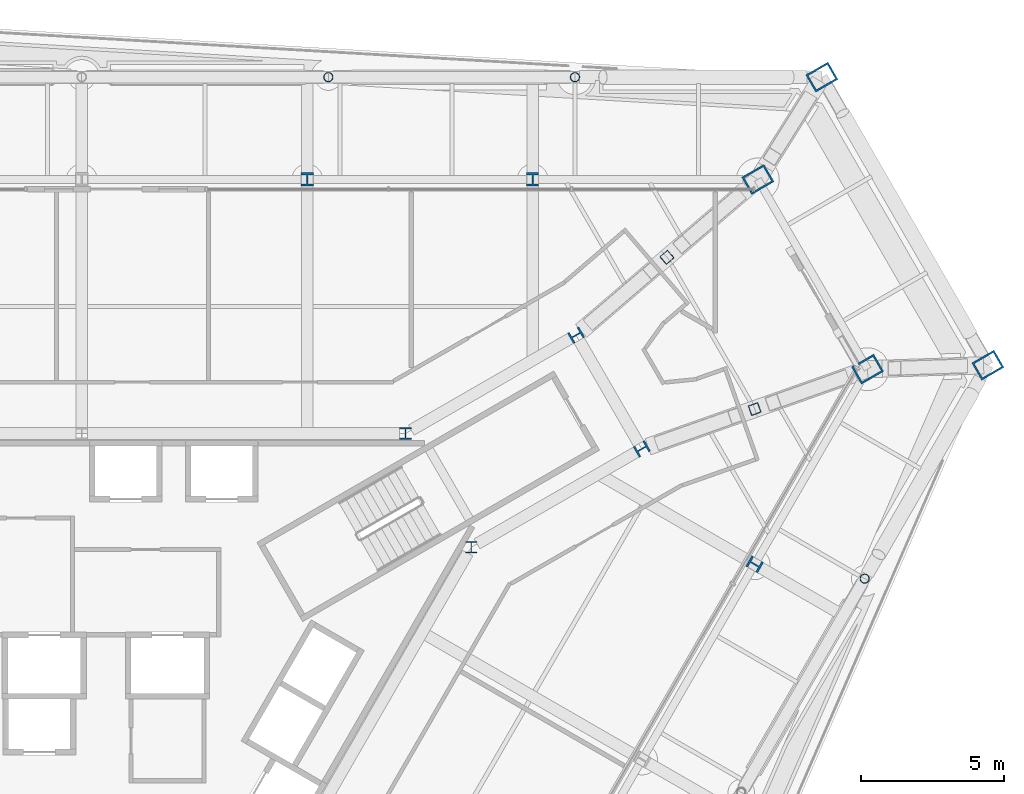
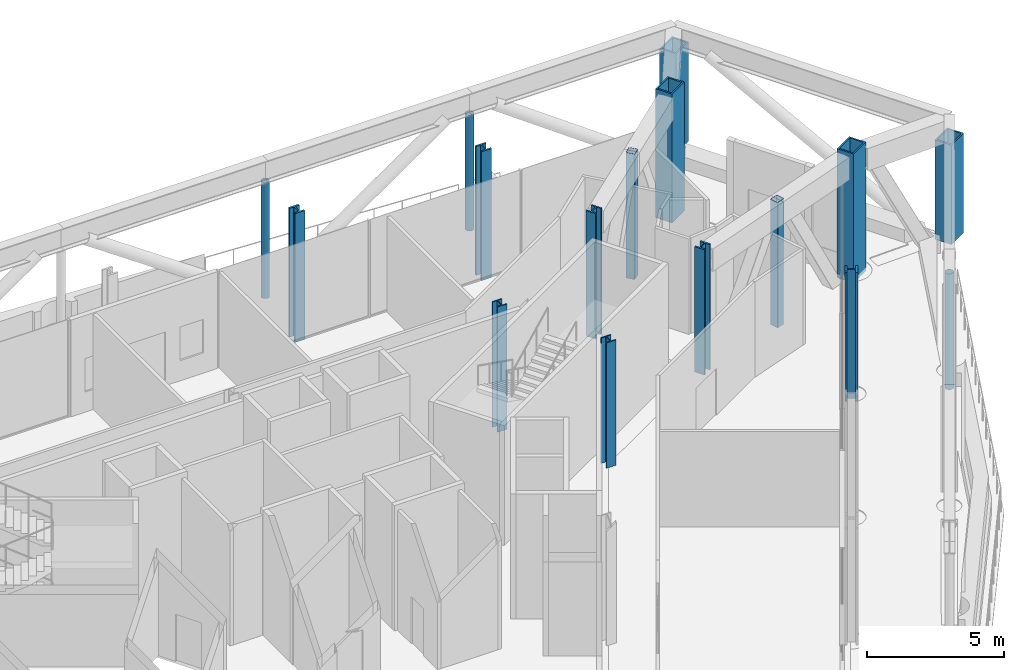
# One storey, part 4 of 26: 16 columns.
"""IFC4 building model written with IfcOpenShell, lengths in metres."""

import ifcopenshell
import ifcopenshell.guid

model = None  # the IFC model being written
_history = None  # IfcOwnerHistory: only IFC2X3 demands one
_inside = {}  # id of a spatial element -> (the spatial element, [elements in it])
_under = {}  # id of a project, library or spatial element -> (it, [spatial elements below it])
_declared = {}  # id of a project -> (the project, [libraries it declares])
_typed = {}  # id of a type object -> (the type object, [elements of that type])
_made_of = {}  # id of a material, layer set ... -> (it, [elements and type objects made of it])


def new_model(schema):
    """Start an empty IFC model of exactly this schema.

    Asked for "IFC4X3", IfcOpenShell would pick the latest addendum, in which some entities
    have other attributes; the version numbers below select the first issue.
    IFC2X3 requires an IfcOwnerHistory on every rooted entity: one is made here for all.
    """
    global model, _history
    if schema == "IFC4X3":
        model = ifcopenshell.file(schema_version=(4, 3, 0, 0))
    else:
        model = ifcopenshell.file(schema=schema)
    _inside.clear()
    _under.clear()
    _declared.clear()
    _typed.clear()
    _made_of.clear()
    _history = None
    if model.schema == "IFC2X3":
        org = make("IfcOrganization", Name="unknown")
        user = make(
            "IfcPersonAndOrganization",
            ThePerson=make("IfcPerson", FamilyName="unknown"),
            TheOrganization=org,
        )
        app = make(
            "IfcApplication",
            ApplicationDeveloper=org,
            Version="unknown",
            ApplicationFullName="unknown",
            ApplicationIdentifier="unknown",
        )
        _history = make(
            "IfcOwnerHistory",
            OwningUser=user,
            OwningApplication=app,
            ChangeAction="ADDED",
            CreationDate=0,
        )
    return model


def make(cls, **values):
    """One entity of the class cls with the attributes given. An attribute that is None is left unset."""
    return model.create_entity(
        cls, **{name: value for name, value in values.items() if value is not None}
    )


def rooted(cls, **values):
    """An entity with a GlobalId (a new one), such as an element, a storey or a relation."""
    return make(cls, GlobalId=ifcopenshell.guid.new(), OwnerHistory=_history, **values)


def si_unit(unit_type, name, prefix=None):
    """IfcSIUnit, for example si_unit("LENGTHUNIT", "METRE", prefix="MILLI")."""
    return make("IfcSIUnit", UnitType=unit_type, Prefix=prefix, Name=name)


def assignment(units):
    """IfcUnitAssignment: the units of a project."""
    return None if units is None else make("IfcUnitAssignment", Units=units)


def point(xyz):
    """IfcCartesianPoint."""
    return None if xyz is None else make("IfcCartesianPoint", Coordinates=xyz)


def direction(xyz):
    """IfcDirection."""
    return None if xyz is None else make("IfcDirection", DirectionRatios=xyz)


def frame(location, z_axis=None, x_axis=None):
    """IfcAxis2Placement3D, a coordinate frame: its origin and axes. An axis left out is left unset."""
    return make(
        "IfcAxis2Placement3D",
        Location=point(location),
        Axis=direction(z_axis),
        RefDirection=direction(x_axis),
    )


def frame_2d(location, x_axis=None):
    """IfcAxis2Placement2D, a coordinate frame in the plane: its origin and x axis."""
    return make(
        "IfcAxis2Placement2D", Location=point(location), RefDirection=direction(x_axis)
    )


def origin():
    """The frame at (0, 0, 0) with its axes left unset."""
    return frame((0.0, 0.0, 0.0))


def origin_2d():
    """The frame at (0, 0) in the plane with its x axis left unset."""
    return frame_2d((0.0, 0.0))


def place(relative_to, where):
    """IfcLocalPlacement: puts the frame where relative to a parent placement (None: the world)."""
    return make(
        "IfcLocalPlacement", PlacementRelTo=relative_to, RelativePlacement=where
    )


def context(
    kind, dimensions, precision=None, world=None, true_north=None, identifier=None
):
    """IfcGeometricRepresentationContext, for example the 3D "Model" context."""
    return make(
        "IfcGeometricRepresentationContext",
        ContextIdentifier=identifier,
        ContextType=kind,
        CoordinateSpaceDimension=dimensions,
        Precision=precision,
        WorldCoordinateSystem=world,
        TrueNorth=true_north,
    )


def subcontext(parent, identifier, kind, view, scale=None):
    """IfcGeometricRepresentationSubContext, for example "Body" below "Model"."""
    return make(
        "IfcGeometricRepresentationSubContext",
        ContextIdentifier=identifier,
        ContextType=kind,
        ParentContext=parent,
        TargetScale=scale,
        TargetView=view,
    )


def project(units=None, contexts=None):
    """IfcProject with its units and contexts."""
    return rooted(
        "IfcProject",
        Name="project",
        RepresentationContexts=contexts,
        UnitsInContext=assignment(units),
    )


def spatial(cls, under=None, at=None, **own):
    """A site, building, storey or space (cls), placed at a placement, below another one or the project."""
    s = rooted(cls, ObjectPlacement=at, **own)
    if under is not None:
        _under.setdefault(under.id(), (under, []))[1].append(s)
    return s


def profile(cls, at=None, kind="AREA", **sizes):
    """A parametric profile (cls). Its sizes go by their IFC names, for example OverallWidth=200.0."""
    return make(cls, ProfileType=kind, Position=at, **sizes)


def hollow_rectangle(**sizes):
    """IfcRectangleHollowProfileDef."""
    return profile("IfcRectangleHollowProfileDef", **sizes)


def hollow_circle(**sizes):
    """IfcCircleHollowProfileDef."""
    return profile("IfcCircleHollowProfileDef", **sizes)


def i_section(**sizes):
    """IfcIShapeProfileDef."""
    return profile("IfcIShapeProfileDef", **sizes)


def extrude(swept, where, along, depth):
    """IfcExtrudedAreaSolid: the profile swept, set in the frame where, extruded along a direction by depth."""
    return make(
        "IfcExtrudedAreaSolid",
        SweptArea=swept,
        Position=where,
        ExtrudedDirection=direction(along),
        Depth=depth,
    )


def shape(context_of_items, identifier, shape_type, items):
    """IfcShapeRepresentation: the items that make up one representation, for example the "Body"."""
    return make(
        "IfcShapeRepresentation",
        ContextOfItems=context_of_items,
        RepresentationIdentifier=identifier,
        RepresentationType=shape_type,
        Items=items,
    )


def material(Name=None, Category=None):
    """IfcMaterial."""
    return make("IfcMaterial", Name=Name, Category=Category)


def material_profile(
    of_material, cross_section, Name=None, Category=None, Priority=None
):
    """IfcMaterialProfile: a cross section and its material."""
    return make(
        "IfcMaterialProfile",
        Name=Name,
        Material=of_material,
        Profile=cross_section,
        Priority=Priority,
        Category=Category,
    )


def profile_set(profiles, Name=None, composite=None):
    """IfcMaterialProfileSet."""
    return make(
        "IfcMaterialProfileSet",
        Name=Name,
        MaterialProfiles=profiles,
        CompositeProfile=composite,
    )


def made_of(thing, what):
    """Note that an element or type object is made of a material, layer set ...; save() writes the relation."""
    if what is not None:
        _made_of.setdefault(what.id(), (what, []))[1].append(thing)
    return thing


def type_object(cls, material=None, **own):
    """A type object (cls), such as IfcWallType, which elements share."""
    return made_of(rooted(cls, **own), material)


def element(
    cls,
    number,
    at=None,
    inside=None,
    cuts=None,
    type_object=None,
    material=None,
    context=None,
    identifier="Body",
    shape_type=None,
    held_by="IfcProductDefinitionShape",
    body=None,
    shapes=None,
    **own,
):
    """One element of the class cls, such as IfcWall. Its Tag is "e" and its number.

    at: its placement. inside: the storey or other place that contains it. cuts: it is an
    opening in that element (IfcRelVoidsElement). A single representation is given by context,
    identifier, shape_type and body (its items); several are given by shapes. held_by: the class
    of the entity that holds the representations. save() writes the other relations.
    """
    e = rooted(cls, Tag="e%d" % number, ObjectPlacement=at, **own)
    if body is not None:
        shapes = [shape(context, identifier, shape_type, body)]
    if shapes is not None:
        e.Representation = make(held_by, Representations=shapes)
    if inside is not None:
        _inside.setdefault(inside.id(), (inside, []))[1].append(e)
    if cuts is not None:
        rooted(
            "IfcRelVoidsElement", RelatingBuildingElement=cuts, RelatedOpeningElement=e
        )
    if type_object is not None:
        _typed.setdefault(type_object.id(), (type_object, []))[1].append(e)
    return made_of(e, material)


def aggregate(whole, parts):
    """IfcRelAggregates: a whole, such as a stair, and the parts it consists of."""
    return rooted("IfcRelAggregates", RelatingObject=whole, RelatedObjects=parts)


def save(model, path):
    """Write the relations noted so far, then the file.

    IfcRelAggregates (storeys below a building ...), IfcRelContainedInSpatialStructure (elements
    in a storey), IfcRelDefinesByType, IfcRelAssociatesMaterial and IfcRelDeclares: one each for
    every whole, place, type object, material and project.
    """
    for whole, parts in _under.values():
        aggregate(whole, parts)
    for where, things in _inside.values():
        rooted(
            "IfcRelContainedInSpatialStructure",
            RelatedElements=things,
            RelatingStructure=where,
        )
    for kind, things in _typed.values():
        rooted("IfcRelDefinesByType", RelatedObjects=things, RelatingType=kind)
    for what, things in _made_of.values():
        rooted("IfcRelAssociatesMaterial", RelatedObjects=things, RelatingMaterial=what)
    for by, libraries in _declared.values():
        rooted("IfcRelDeclares", RelatingContext=by, RelatedDefinitions=libraries)
    model.write(path)


model = new_model("IFC4")

# Units and contexts
model_context = context("Model", 3, precision=1e-05, world=origin(), true_north=direction((0.0, 1.0)))
body_context = subcontext(model_context, "Body", "Model", "MODEL_VIEW")
ifc_project = project(units=[si_unit("LENGTHUNIT", "METRE"), si_unit("AREAUNIT", "SQUARE_METRE"), si_unit("VOLUMEUNIT", "CUBIC_METRE"), si_unit("PLANEANGLEUNIT", "RADIAN"), si_unit("MASSUNIT", "GRAM", prefix="KILO")], contexts=[model_context])

# Site, building, storey
site_placement = place(None, origin())
site = spatial("IfcSite", under=ifc_project, at=site_placement, CompositionType="ELEMENT")
building_placement = place(site_placement, origin())
building = spatial("IfcBuilding", under=site, at=building_placement, Name="Verrane Prism Tower", CompositionType="ELEMENT")
storey_placement = place(building_placement, frame((0.0, 0.0, 87.199951171875)))
storey = spatial("IfcBuildingStorey", under=building, at=storey_placement, Name="L20", CompositionType="ELEMENT", Elevation=87.199951171875)

# Columns
ifc_material_1 = material(Name="Steel A500 Grade C", Category="steel")
ifc_material_profile_1 = material_profile(ifc_material_1, hollow_circle(Radius=0.16259765625, WallThickness=0.0126953125, at=origin_2d()), Name="HSS12.750x0.500")
ifc_profile_set_1 = profile_set([ifc_material_profile_1], Name="Steel A500 Grade C")
column_type_1 = type_object("IfcColumnType", Name="Belt truss post HSS12.750x0.500", PredefinedType="COLUMN", material=ifc_profile_set_1)
for number, where, z_axis, x_axis, name in (
    (1, (17.260009765625, 21.669921875, -0.72998046875), (0.0, 0.0, 1.0), (1.0, 0.0, 0.0), "Belt truss post L20"),
    (2, (8.6298828125, 21.669921875, -0.72998046875), (0.0, 0.0, 1.0), (1.0, 0.0, 0.0), "Belt truss post L20"),
    (3, (27.39990234375, 4.1201171875, -0.72998046875), (0.0, 0.0, 1.0), (-0.5, -0.866025403784, 0.0), "Belt truss post L20"),
):
    element("IfcColumn", number, at=place(storey_placement, frame(where, z_axis=z_axis, x_axis=x_axis)), inside=storey, type_object=column_type_1, Name=name, PredefinedType="COLUMN", context=body_context, shape_type="SweptSolid", body=[
        extrude(hollow_circle(Radius=0.16259765625, WallThickness=0.0126953125, at=origin_2d()), origin(), (0.0, 0.0, 1.0), 5.169921875),
    ])
ifc_material_2 = material(Name="Steel A992", Category="steel")
ifc_material_profile_2 = material_profile(ifc_material_2, i_section(OverallWidth=0.419189453125, OverallDepth=0.45458984375, WebThickness=0.042236328125, FlangeThickness=0.067626953125, FilletRadius=0.01513671875, at=origin_2d()), Name="W14x370")
ifc_profile_set_2 = profile_set([ifc_material_profile_2], Name="Steel A992")
column_type_2 = type_object("IfcColumnType", Name="Core corner column W14x370", PredefinedType="COLUMN", material=ifc_profile_set_2)
for number, where, z_axis, x_axis, name in (
    (4, (19.60009765625, 8.659912109375, 0.0), (0.0, 0.0, 1.0), (0.5, -0.866025403784, 0.0), "Core corner column CK-NEm L20"),
    (5, (17.300048828125, 12.639892578125, 0.0), (0.0, 0.0, 1.0), (0.5, -0.866025403784, 0.0), "Core corner column CK-NEp L20"),
):
    element("IfcColumn", number, at=place(storey_placement, frame(where, z_axis=z_axis, x_axis=x_axis)), inside=storey, type_object=column_type_2, Name=name, PredefinedType="COLUMN", context=body_context, shape_type="SweptSolid", body=[
        extrude(i_section(OverallWidth=0.419189453125, OverallDepth=0.45458984375, WebThickness=0.042236328125, FlangeThickness=0.067626953125, FilletRadius=0.01513671875, at=origin_2d()), origin(), (0.0, 0.0, 1.0), 5.60009765625),
    ])
ifc_material_3 = material(Name="Steel A992", Category="steel")
ifc_material_profile_3 = material_profile(ifc_material_3, i_section(OverallWidth=0.406494140625, OverallDepth=0.41650390625, WebThickness=0.030029296875, FlangeThickness=0.048095703125, FilletRadius=0.01513671875, at=origin_2d()), Name="W14x257")
ifc_profile_set_3 = profile_set([ifc_material_profile_3], Name="Steel A992")
column_type_3 = type_object("IfcColumnType", Name="Core side column W14x257", PredefinedType="COLUMN", material=ifc_profile_set_3)
for number, where, z_axis, x_axis, name in (
    (6, (13.6298828125, 5.219970703125, 0.0), (0.0, 0.0, 1.0), (1.0, 0.0, 0.0), "Core side column CC-NEm L20"),
    (7, (11.330078125, 9.199951171875, 0.0), (0.0, 0.0, 1.0), (1.0, 0.0, 0.0), "Core side column CC-NEp L20"),
):
    element("IfcColumn", number, at=place(storey_placement, frame(where, z_axis=z_axis, x_axis=x_axis)), inside=storey, type_object=column_type_3, Name=name, PredefinedType="COLUMN", context=body_context, shape_type="SweptSolid", body=[
        extrude(i_section(OverallWidth=0.406494140625, OverallDepth=0.41650390625, WebThickness=0.030029296875, FlangeThickness=0.048095703125, FilletRadius=0.01513671875, at=origin_2d()), origin(), (0.0, 0.0, 1.0), 5.60009765625),
    ])
ifc_material_4 = material(Name="Steel A572 Grade 50", Category="steel")
ifc_material_profile_4 = material_profile(ifc_material_4, hollow_rectangle(XDim=0.699951171875, YDim=0.89990234375, WallThickness=0.06494140625, at=origin_2d()), Name="BOX 900x700x65")
ifc_profile_set_4 = profile_set([ifc_material_profile_4], Name="Steel A572 Grade 50")
column_type_4 = type_object("IfcColumnType", Name="Megacolumn BOX 900x700x65", PredefinedType="COLUMN", material=ifc_profile_set_4)
column_1_placement = place(storey_placement, frame((25.89990234375, 21.669921875, 0.0), z_axis=(0.0, 0.0, 1.0), x_axis=(0.5, -0.866025403784, 0.0)))
element("IfcColumn", 8, at=column_1_placement, inside=storey, type_object=column_type_4, Name="Megacolumn MC-NE.b@out L20", PredefinedType="COLUMN", context=body_context, shape_type="SweptSolid", body=[
    extrude(hollow_rectangle(XDim=0.699951171875, YDim=0.89990234375, WallThickness=0.06494140625, at=origin_2d()), origin(), (0.0, 0.0, 1.0), 4.43994140625),
])
column_2_placement = place(storey_placement, frame((23.659912109375, 18.090087890625, -0.159912109375), z_axis=(0.0, 0.0, 1.0), x_axis=(0.5, -0.866025403784, 0.0)))
element("IfcColumn", 9, at=column_2_placement, inside=storey, type_object=column_type_4, Name="Megacolumn MC-NE.b L20", PredefinedType="COLUMN", context=body_context, shape_type="SweptSolid", body=[
    extrude(hollow_rectangle(XDim=0.699951171875, YDim=0.89990234375, WallThickness=0.06494140625, at=origin_2d()), origin(), (0.0, 0.0, 1.0), 5.760009765625),
])
column_3_placement = place(storey_placement, frame((31.7099609375, 11.590087890625, 0.0), z_axis=(0.0, 0.0, 1.0), x_axis=(0.5, -0.866025403784, 0.0)))
element("IfcColumn", 10, at=column_3_placement, inside=storey, type_object=column_type_4, Name="Megacolumn MC-NE.a@out L20", PredefinedType="COLUMN", context=body_context, shape_type="SweptSolid", body=[
    extrude(hollow_rectangle(XDim=0.699951171875, YDim=0.89990234375, WallThickness=0.06494140625, at=origin_2d()), origin(), (0.0, 0.0, 1.0), 4.43994140625),
])
column_4_placement = place(storey_placement, frame((27.5, 11.449951171875, -0.159912109375), z_axis=(0.0, 0.0, 1.0), x_axis=(0.5, -0.866025403784, 0.0)))
element("IfcColumn", 11, at=column_4_placement, inside=storey, type_object=column_type_4, Name="Megacolumn MC-NE.a L20", PredefinedType="COLUMN", context=body_context, shape_type="SweptSolid", body=[
    extrude(hollow_rectangle(XDim=0.699951171875, YDim=0.89990234375, WallThickness=0.06494140625, at=origin_2d()), origin(), (0.0, 0.0, 1.0), 5.760009765625),
])
ifc_material_5 = material(Name="Steel A500 Grade C", Category="steel")
ifc_material_profile_5 = material_profile(ifc_material_5, hollow_rectangle(XDim=0.355712890625, YDim=0.355712890625, WallThickness=0.0126953125, InnerFilletRadius=0.00634765625, OuterFilletRadius=0.01904296875, at=origin_2d()), Name="HSS14x14x1/2")
ifc_profile_set_5 = profile_set([ifc_material_profile_5], Name="Steel A500 Grade C")
column_type_5 = type_object("IfcColumnType", Name="Outrigger truss post HSS14x14x1/2", PredefinedType="COLUMN", material=ifc_profile_set_5)
for number, where, z_axis, x_axis, name in (
    (12, (23.550048828125, 10.054931640625, -0.159912109375), (0.0, 0.0, 1.0), (-0.333007162436, 0.942924296943, 0.0), "Outrigger truss post L20"),
    (13, (20.47998046875, 15.364990234375, -0.159912109375), (0.0, 0.0, 1.0), (-0.650693377694, 0.759340587764, 0.0), "Outrigger truss post L20"),
):
    element("IfcColumn", number, at=place(storey_placement, frame(where, z_axis=z_axis, x_axis=x_axis)), inside=storey, type_object=column_type_5, Name=name, PredefinedType="COLUMN", context=body_context, shape_type="SweptSolid", body=[
        extrude(hollow_rectangle(XDim=0.355712890625, YDim=0.355712890625, WallThickness=0.0126953125, InnerFilletRadius=0.00634765625, OuterFilletRadius=0.01904296875, at=origin_2d()), origin(), (0.0, 0.0, 1.0), 5.599853515625),
    ])
ifc_material_6 = material(Name="Steel A992", Category="steel")
ifc_material_profile_6 = material_profile(ifc_material_6, i_section(OverallWidth=0.424072265625, OverallDepth=0.47509765625, WebThickness=0.0478515625, FlangeThickness=0.0771484375, FilletRadius=0.014892578125, at=origin_2d()), Name="W14x426")
ifc_profile_set_6 = profile_set([ifc_material_profile_6], Name="Steel A992")
column_type_6 = type_object("IfcColumnType", Name="Perimeter column W14x426", PredefinedType="COLUMN", material=ifc_profile_set_6)
for number, where, z_axis, x_axis, name in (
    (14, (15.780029296875, 18.090087890625, -0.159912109375), (0.0, 0.0, 1.0), (1.0, 0.0, 0.0), "Perimeter column PC-N1 L20"),
    (15, (7.889892578125, 18.090087890625, -0.159912109375), (0.0, 0.0, 1.0), (1.0, 0.0, 0.0), "Perimeter column PC-N2 L20"),
    (16, (23.550048828125, 4.6201171875, -0.159912109375), (0.0, 0.0, 1.0), (-0.5, -0.866025403784, 0.0), "Perimeter column PC-SE5 L20"),
):
    element("IfcColumn", number, at=place(storey_placement, frame(where, z_axis=z_axis, x_axis=x_axis)), inside=storey, type_object=column_type_6, Name=name, PredefinedType="COLUMN", context=body_context, shape_type="SweptSolid", body=[
        extrude(i_section(OverallWidth=0.424072265625, OverallDepth=0.47509765625, WebThickness=0.0478515625, FlangeThickness=0.0771484375, FilletRadius=0.014892578125, at=origin_2d()), origin(), (0.0, 0.0, 1.0), 5.760009765625),
    ])

save(model, "model.ifc")
